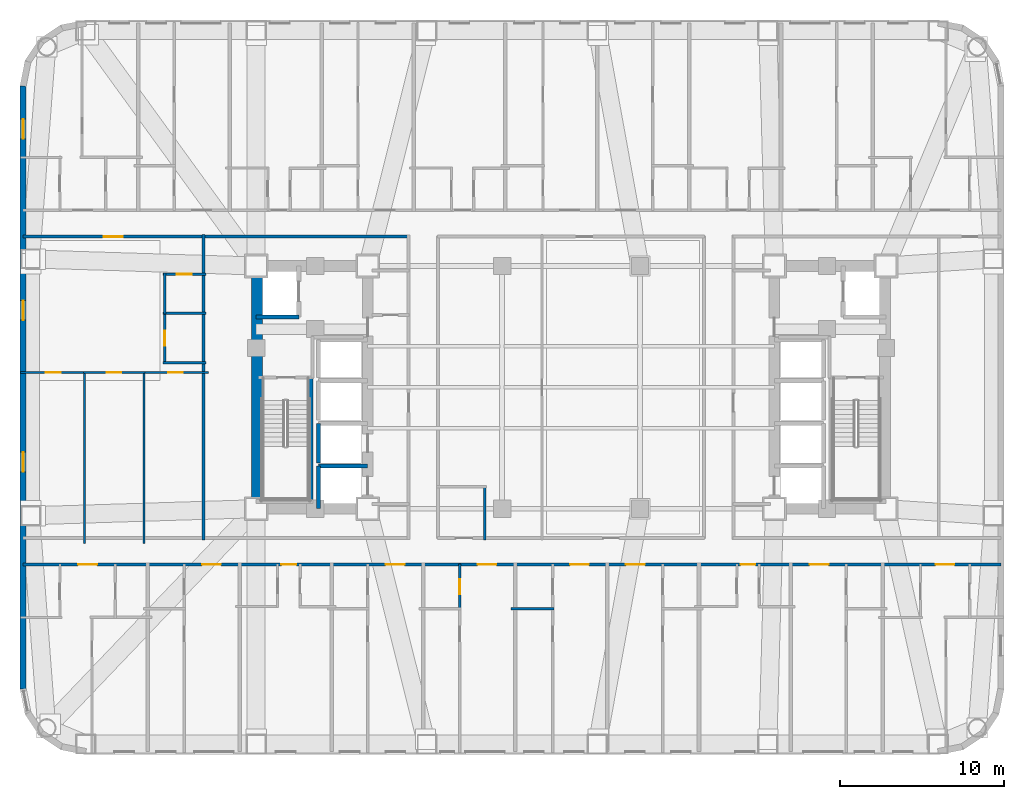
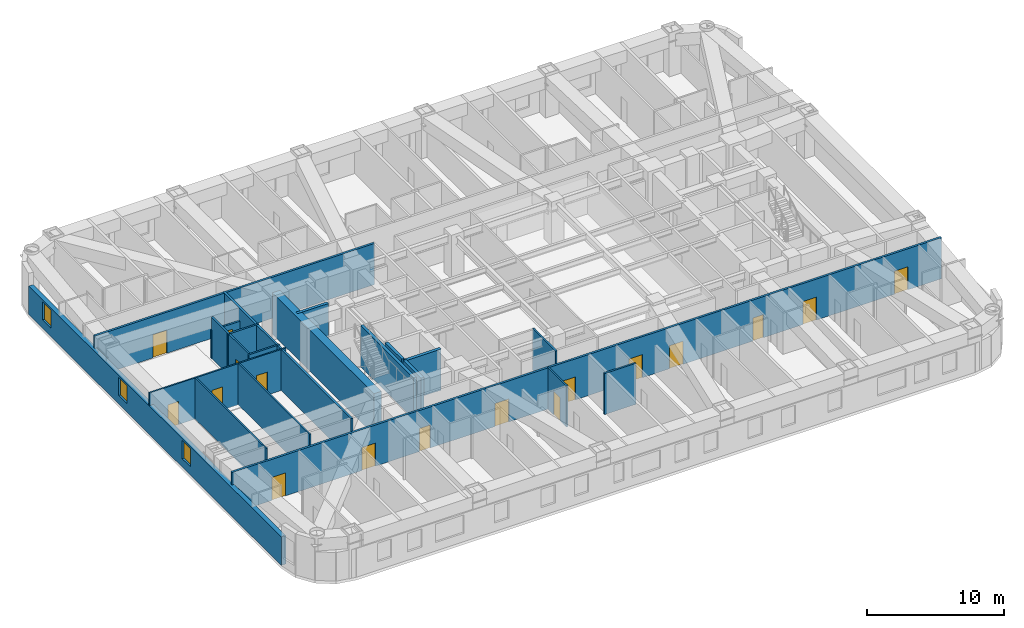
# One storey, part 4 of 12: 23 walls, 17 doors, 3 windows, 20 openings.
"""IFC4 building model written with IfcOpenShell, lengths in metres."""

from ifc_helpers import new_model, si_unit, direction, frame, frame_2d, origin, place, context, subcontext, project, spatial, rectangle, extrude, material, layer, layer_set, type_object, element, fill, save


model = new_model("IFC4")

# Units and contexts
model_context = context("Model", 3, precision=1e-05, world=origin(), true_north=direction((0.0, 1.0)))
body_context = subcontext(model_context, "Body", "Model", "MODEL_VIEW")
ifc_project = project(units=[si_unit("LENGTHUNIT", "METRE"), si_unit("AREAUNIT", "SQUARE_METRE"), si_unit("VOLUMEUNIT", "CUBIC_METRE"), si_unit("PLANEANGLEUNIT", "RADIAN"), si_unit("MASSUNIT", "GRAM", prefix="KILO")], contexts=[model_context])

# Site, building, storey
site_placement = place(None, origin())
site = spatial("IfcSite", under=ifc_project, at=site_placement, CompositionType="ELEMENT")
building_placement = place(site_placement, origin())
building = spatial("IfcBuilding", under=site, at=building_placement, Name="Voryun Gate Residences", CompositionType="ELEMENT")
storey_placement = place(building_placement, frame((0.0, 0.0, 29.89990234375)))
storey = spatial("IfcBuildingStorey", under=building, at=storey_placement, Name="L06", CompositionType="ELEMENT", Elevation=29.89990234375)

# Wall
ifc_material_1 = material(Name="Concrete C60/75", Category="concrete")
ifc_layer_1 = layer(ifc_material_1, 0.64990234375, Name="CW_CORE_650")
ifc_layer_set_1 = layer_set([ifc_layer_1], Name="Concrete C60/75")
wall_type_1 = type_object("IfcWallType", Name="CW_CORE_650", PredefinedType="SHEAR", material=ifc_layer_set_1)
wall_1_placement = place(storey_placement, frame((-19.14501953125, -7.39990234375, 0.0), z_axis=(0.0, 0.0, 1.0), x_axis=(0.0, 1.0, 0.0)))
element("IfcWall", 1, at=wall_1_placement, inside=storey, type_object=wall_type_1, Name="L06 Core shear wall CW-L06-WW", PredefinedType="SHEAR", context=body_context, shape_type="SweptSolid", body=[
    extrude(rectangle(XDim=14.7998046875, YDim=0.64990234375, at=frame_2d((7.39990234375, 0.0))), origin(), (0.0, 0.0, 1.0), 3.650146484375),
])

# Wall, opening, door
ifc_material_2 = material(Name="Gypsum acoustic fireboard")
ifc_layer_2 = layer(ifc_material_2, 0.179931640625, Name="W_CORR_RATED_180")
ifc_layer_set_2 = layer_set([ifc_layer_2], Name="Gypsum acoustic fireboard")
wall_type_2 = type_object("IfcWallType", Name="W_CORR_RATED_180", PredefinedType="PARTITIONING", material=ifc_layer_set_2)
wall_2_placement = place(storey_placement, frame((-33.409912109375, 9.18994140625, 0.0), z_axis=(0.0, 0.0, 1.0), x_axis=(1.0, 0.0, 0.0)))
wall_2 = element("IfcWall", 2, at=wall_2_placement, inside=storey, type_object=wall_type_2, Name="Partition wall WP-L06-CWING-WN", PredefinedType="PARTITIONING", context=body_context, shape_type="SweptSolid", body=[
    extrude(rectangle(XDim=23.530029296875, YDim=0.179931640625, at=frame_2d((11.76513671875, 0.0))), origin(), (0.0, 0.0, 1.0), 3.650146484375),
])
opening_1_placement = place(wall_2_placement, frame((4.91455078125, 0.0, 0.0)))
opening_1 = element("IfcOpeningElement", 3, at=opening_1_placement, cuts=wall_2, Name="Opening D-UNIT-1", PredefinedType="OPENING", context=body_context, shape_type="SweptSolid", body=[
    extrude(rectangle(XDim=1.14990234375, YDim=2.050048828125, at=frame_2d((0.574951171875, 1.02490234375))), frame((0.0, 0.099853515625, 0.0), z_axis=(0.0, -1.0, 0.0), x_axis=(1.0, 0.0, 0.0)), (0.0, 0.0, 1.0), 0.199951171875),
])
ifc_material_3 = material(Name="Armoured timber-clad fire door", Category="wood")
door_type_1 = type_object("IfcDoorType", Name="DR_UNIT_ENTRY_1150", OperationType="NOTDEFINED", PredefinedType="DOOR", material=ifc_material_3)
door_1_placement = place(opening_1_placement, origin())
door_1 = element("IfcDoor", 4, at=door_1_placement, inside=storey, type_object=door_type_1, Name="Door DR-L06-WE1N", OperationType="SINGLE_SWING_LEFT", OverallHeight=2.050048828125, OverallWidth=1.14990234375, PredefinedType="DOOR", context=body_context, shape_type="SweptSolid", body=[
    extrude(rectangle(XDim=1.14990234375, YDim=2.050048828125, at=frame_2d((0.574951171875, 1.02490234375))), frame((0.0, 0.02490234375, 0.0), z_axis=(0.0, -1.0, 0.0), x_axis=(1.0, 0.0, 0.0)), (0.0, 0.0, 1.0), 0.050048828125),
])
fill(opening_1, door_1)

# Wall, openings, doors
wall_3_placement = place(storey_placement, frame((-33.409912109375, -10.800048828125, 0.0), z_axis=(0.0, 0.0, 1.0), x_axis=(1.0, 0.0, 0.0)))
wall_3 = element("IfcWall", 5, at=wall_3_placement, inside=storey, type_object=wall_type_2, Name="Partition wall WP-L06-SCORR", PredefinedType="PARTITIONING", context=body_context, shape_type="SweptSolid", body=[
    extrude(rectangle(XDim=59.619873046875, YDim=0.179931640625, at=frame_2d((29.81005859375, 0.0))), origin(), (0.0, 0.0, 1.0), 3.650146484375),
])
opening_2_placement = place(wall_3_placement, frame((3.35986328125, 0.0, 0.0)))
opening_2 = element("IfcOpeningElement", 6, at=opening_2_placement, cuts=wall_3, Name="Opening D-UNIT-1", PredefinedType="OPENING", context=body_context, shape_type="SweptSolid", body=[
    extrude(rectangle(XDim=1.14990234375, YDim=2.050048828125, at=frame_2d((0.574951171875, 1.02490234375))), frame((0.0, 0.099853515625, 0.0), z_axis=(0.0, -1.0, 0.0), x_axis=(1.0, 0.0, 0.0)), (0.0, 0.0, 1.0), 0.199951171875),
])
opening_3_placement = place(wall_3_placement, frame((10.90771484375, 0.0, 0.0)))
opening_3 = element("IfcOpeningElement", 7, at=opening_3_placement, cuts=wall_3, Name="Opening D-UNIT-1", PredefinedType="OPENING", context=body_context, shape_type="SweptSolid", body=[
    extrude(rectangle(XDim=1.14990234375, YDim=2.050048828125, at=frame_2d((0.574951171875, 1.02490234375))), frame((0.0, 0.099853515625, 0.0), z_axis=(0.0, -1.0, 0.0), x_axis=(1.0, 0.0, 0.0)), (0.0, 0.0, 1.0), 0.199951171875),
])
opening_4_placement = place(wall_3_placement, frame((15.754638671875, 0.0, 0.0)))
opening_4 = element("IfcOpeningElement", 8, at=opening_4_placement, cuts=wall_3, Name="Opening D-INT-2", PredefinedType="OPENING", context=body_context, shape_type="SweptSolid", body=[
    extrude(rectangle(XDim=0.89990234375, YDim=2.050048828125, at=frame_2d((0.449951171875, 1.02490234375))), frame((0.0, 0.099853515625, 0.0), z_axis=(0.0, -1.0, 0.0), x_axis=(1.0, 0.0, 0.0)), (0.0, 0.0, 1.0), 0.199951171875),
])
opening_5_placement = place(wall_3_placement, frame((22.1103515625, 0.0, 0.0)))
opening_5 = element("IfcOpeningElement", 9, at=opening_5_placement, cuts=wall_3, Name="Opening D-UNIT-1", PredefinedType="OPENING", context=body_context, shape_type="SweptSolid", body=[
    extrude(rectangle(XDim=1.14990234375, YDim=2.050048828125, at=frame_2d((0.574951171875, 1.02490234375))), frame((0.0, 0.099853515625, 0.0), z_axis=(0.0, -1.0, 0.0), x_axis=(1.0, 0.0, 0.0)), (0.0, 0.0, 1.0), 0.199951171875),
])
opening_6_placement = place(wall_3_placement, frame((27.708740234375, 0.0, 0.0)))
opening_6 = element("IfcOpeningElement", 10, at=opening_6_placement, cuts=wall_3, Name="Opening D-UNIT-1", PredefinedType="OPENING", context=body_context, shape_type="SweptSolid", body=[
    extrude(rectangle(XDim=1.14990234375, YDim=2.050048828125, at=frame_2d((0.574951171875, 1.02490234375))), frame((0.0, 0.099853515625, 0.0), z_axis=(0.0, -1.0, 0.0), x_axis=(1.0, 0.0, 0.0)), (0.0, 0.0, 1.0), 0.199951171875),
])
opening_7_placement = place(wall_3_placement, frame((33.348876953125, 0.0, 0.0)))
opening_7 = element("IfcOpeningElement", 11, at=opening_7_placement, cuts=wall_3, Name="Opening D-UNIT-1", PredefinedType="OPENING", context=body_context, shape_type="SweptSolid", body=[
    extrude(rectangle(XDim=1.14990234375, YDim=2.050048828125, at=frame_2d((0.574951171875, 1.02490234375))), frame((0.0, 0.099853515625, 0.0), z_axis=(0.0, -1.0, 0.0), x_axis=(1.0, 0.0, 0.0)), (0.0, 0.0, 1.0), 0.199951171875),
])
opening_8_placement = place(wall_3_placement, frame((36.759033203125, 0.0, 0.0)))
opening_8 = element("IfcOpeningElement", 12, at=opening_8_placement, cuts=wall_3, Name="Opening D-UNIT-1", PredefinedType="OPENING", context=body_context, shape_type="SweptSolid", body=[
    extrude(rectangle(XDim=1.14990234375, YDim=2.050048828125, at=frame_2d((0.574951171875, 1.02490234375))), frame((0.0, 0.099853515625, 0.0), z_axis=(0.0, -1.0, 0.0), x_axis=(1.0, 0.0, 0.0)), (0.0, 0.0, 1.0), 0.199951171875),
])
opening_9_placement = place(wall_3_placement, frame((43.752197265625, 0.0, 0.0)))
opening_9 = element("IfcOpeningElement", 13, at=opening_9_placement, cuts=wall_3, Name="Opening D-INT-2", PredefinedType="OPENING", context=body_context, shape_type="SweptSolid", body=[
    extrude(rectangle(XDim=0.89990234375, YDim=2.050048828125, at=frame_2d((0.449951171875, 1.02490234375))), frame((0.0, 0.099853515625, 0.0), z_axis=(0.0, -1.0, 0.0), x_axis=(1.0, 0.0, 0.0)), (0.0, 0.0, 1.0), 0.199951171875),
])
opening_10_placement = place(wall_3_placement, frame((47.961669921875, 0.0, 0.0)))
opening_10 = element("IfcOpeningElement", 14, at=opening_10_placement, cuts=wall_3, Name="Opening D-UNIT-1", PredefinedType="OPENING", context=body_context, shape_type="SweptSolid", body=[
    extrude(rectangle(XDim=1.14990234375, YDim=2.050048828125, at=frame_2d((0.574951171875, 1.02490234375))), frame((0.0, 0.099853515625, 0.0), z_axis=(0.0, -1.0, 0.0), x_axis=(1.0, 0.0, 0.0)), (0.0, 0.0, 1.0), 0.199951171875),
])
opening_11_placement = place(wall_3_placement, frame((55.640625, 0.0, 0.0)))
opening_11 = element("IfcOpeningElement", 15, at=opening_11_placement, cuts=wall_3, Name="Opening D-UNIT-1", PredefinedType="OPENING", context=body_context, shape_type="SweptSolid", body=[
    extrude(rectangle(XDim=1.14990234375, YDim=2.050048828125, at=frame_2d((0.574951171875, 1.02490234375))), frame((0.0, 0.099853515625, 0.0), z_axis=(0.0, -1.0, 0.0), x_axis=(1.0, 0.0, 0.0)), (0.0, 0.0, 1.0), 0.199951171875),
])
ifc_material_4 = material(Name="Architectural oak veneer")
door_type_2 = type_object("IfcDoorType", Name="DR_INT_BATH_900", OperationType="NOTDEFINED", PredefinedType="DOOR", material=ifc_material_4)
door_2_placement = place(opening_4_placement, origin())
door_2 = element("IfcDoor", 16, at=door_2_placement, inside=storey, type_object=door_type_2, Name="Door DR-L06-SENT-3", OperationType="SINGLE_SWING_RIGHT", OverallHeight=2.050048828125, OverallWidth=0.89990234375, PredefinedType="DOOR", context=body_context, shape_type="SweptSolid", body=[
    extrude(rectangle(XDim=0.89990234375, YDim=2.050048828125, at=frame_2d((0.449951171875, 1.02490234375))), frame((0.0, 0.02490234375, 0.0), z_axis=(0.0, -1.0, 0.0), x_axis=(1.0, 0.0, 0.0)), (0.0, 0.0, 1.0), 0.050048828125),
])
fill(opening_4, door_2)
door_3_placement = place(opening_9_placement, origin())
door_3 = element("IfcDoor", 17, at=door_3_placement, inside=storey, type_object=door_type_2, Name="Door DR-L06-SENT-8", OperationType="SINGLE_SWING_LEFT", OverallHeight=2.050048828125, OverallWidth=0.89990234375, PredefinedType="DOOR", context=body_context, shape_type="SweptSolid", body=[
    extrude(rectangle(XDim=0.89990234375, YDim=2.050048828125, at=frame_2d((0.449951171875, 1.02490234375))), frame((0.0, 0.02490234375, 0.0), z_axis=(0.0, -1.0, 0.0), x_axis=(1.0, 0.0, 0.0)), (0.0, 0.0, 1.0), 0.050048828125),
])
fill(opening_9, door_3)
door_4_placement = place(opening_2_placement, origin())
door_4 = element("IfcDoor", 18, at=door_4_placement, inside=storey, type_object=door_type_1, Name="Door DR-L06-SENT-1", OperationType="SINGLE_SWING_RIGHT", OverallHeight=2.050048828125, OverallWidth=1.14990234375, PredefinedType="DOOR", context=body_context, shape_type="SweptSolid", body=[
    extrude(rectangle(XDim=1.14990234375, YDim=2.050048828125, at=frame_2d((0.574951171875, 1.02490234375))), frame((0.0, 0.02490234375, 0.0), z_axis=(0.0, -1.0, 0.0), x_axis=(1.0, 0.0, 0.0)), (0.0, 0.0, 1.0), 0.050048828125),
])
fill(opening_2, door_4)
door_5_placement = place(opening_3_placement, origin())
door_5 = element("IfcDoor", 19, at=door_5_placement, inside=storey, type_object=door_type_1, Name="Door DR-L06-SENT-2", OperationType="SINGLE_SWING_LEFT", OverallHeight=2.050048828125, OverallWidth=1.14990234375, PredefinedType="DOOR", context=body_context, shape_type="SweptSolid", body=[
    extrude(rectangle(XDim=1.14990234375, YDim=2.050048828125, at=frame_2d((0.574951171875, 1.02490234375))), frame((0.0, 0.02490234375, 0.0), z_axis=(0.0, -1.0, 0.0), x_axis=(1.0, 0.0, 0.0)), (0.0, 0.0, 1.0), 0.050048828125),
])
fill(opening_3, door_5)
door_6_placement = place(opening_5_placement, origin())
door_6 = element("IfcDoor", 20, at=door_6_placement, inside=storey, type_object=door_type_1, Name="Door DR-L06-SENT-4", OperationType="SINGLE_SWING_LEFT", OverallHeight=2.050048828125, OverallWidth=1.14990234375, PredefinedType="DOOR", context=body_context, shape_type="SweptSolid", body=[
    extrude(rectangle(XDim=1.14990234375, YDim=2.050048828125, at=frame_2d((0.574951171875, 1.02490234375))), frame((0.0, 0.02490234375, 0.0), z_axis=(0.0, -1.0, 0.0), x_axis=(1.0, 0.0, 0.0)), (0.0, 0.0, 1.0), 0.050048828125),
])
fill(opening_5, door_6)
door_7_placement = place(opening_6_placement, origin())
door_7 = element("IfcDoor", 21, at=door_7_placement, inside=storey, type_object=door_type_1, Name="Door DR-L06-SENT-5", OperationType="SINGLE_SWING_RIGHT", OverallHeight=2.050048828125, OverallWidth=1.14990234375, PredefinedType="DOOR", context=body_context, shape_type="SweptSolid", body=[
    extrude(rectangle(XDim=1.14990234375, YDim=2.050048828125, at=frame_2d((0.574951171875, 1.02490234375))), frame((0.0, 0.02490234375, 0.0), z_axis=(0.0, -1.0, 0.0), x_axis=(1.0, 0.0, 0.0)), (0.0, 0.0, 1.0), 0.050048828125),
])
fill(opening_6, door_7)
door_8_placement = place(opening_7_placement, origin())
door_8 = element("IfcDoor", 22, at=door_8_placement, inside=storey, type_object=door_type_1, Name="Door DR-L06-SENT-6", OperationType="SINGLE_SWING_LEFT", OverallHeight=2.050048828125, OverallWidth=1.14990234375, PredefinedType="DOOR", context=body_context, shape_type="SweptSolid", body=[
    extrude(rectangle(XDim=1.14990234375, YDim=2.050048828125, at=frame_2d((0.574951171875, 1.02490234375))), frame((0.0, 0.02490234375, 0.0), z_axis=(0.0, -1.0, 0.0), x_axis=(1.0, 0.0, 0.0)), (0.0, 0.0, 1.0), 0.050048828125),
])
fill(opening_7, door_8)
door_9_placement = place(opening_8_placement, origin())
door_9 = element("IfcDoor", 23, at=door_9_placement, inside=storey, type_object=door_type_1, Name="Door DR-L06-SENT-7", OperationType="SINGLE_SWING_RIGHT", OverallHeight=2.050048828125, OverallWidth=1.14990234375, PredefinedType="DOOR", context=body_context, shape_type="SweptSolid", body=[
    extrude(rectangle(XDim=1.14990234375, YDim=2.050048828125, at=frame_2d((0.574951171875, 1.02490234375))), frame((0.0, 0.02490234375, 0.0), z_axis=(0.0, -1.0, 0.0), x_axis=(1.0, 0.0, 0.0)), (0.0, 0.0, 1.0), 0.050048828125),
])
fill(opening_8, door_9)
door_10_placement = place(opening_10_placement, origin())
door_10 = element("IfcDoor", 24, at=door_10_placement, inside=storey, type_object=door_type_1, Name="Door DR-L06-SENT-9", OperationType="SINGLE_SWING_RIGHT", OverallHeight=2.050048828125, OverallWidth=1.14990234375, PredefinedType="DOOR", context=body_context, shape_type="SweptSolid", body=[
    extrude(rectangle(XDim=1.14990234375, YDim=2.050048828125, at=frame_2d((0.574951171875, 1.02490234375))), frame((0.0, 0.02490234375, 0.0), z_axis=(0.0, -1.0, 0.0), x_axis=(1.0, 0.0, 0.0)), (0.0, 0.0, 1.0), 0.050048828125),
])
fill(opening_10, door_10)
door_11_placement = place(opening_11_placement, origin())
door_11 = element("IfcDoor", 25, at=door_11_placement, inside=storey, type_object=door_type_1, Name="Door DR-L06-SENT-10", OperationType="SINGLE_SWING_LEFT", OverallHeight=2.050048828125, OverallWidth=1.14990234375, PredefinedType="DOOR", context=body_context, shape_type="SweptSolid", body=[
    extrude(rectangle(XDim=1.14990234375, YDim=2.050048828125, at=frame_2d((0.574951171875, 1.02490234375))), frame((0.0, 0.02490234375, 0.0), z_axis=(0.0, -1.0, 0.0), x_axis=(1.0, 0.0, 0.0)), (0.0, 0.0, 1.0), 0.050048828125),
])
fill(opening_11, door_11)

# Wall
wall_4_placement = place(storey_placement, frame((-22.419921875, -9.31005859375, 0.0), z_axis=(0.0, 0.0, 1.0), x_axis=(0.0, 1.0, 0.0)))
element("IfcWall", 26, at=wall_4_placement, inside=storey, type_object=wall_type_2, Name="Partition wall WP-L06-WCOR", PredefinedType="PARTITIONING", context=body_context, shape_type="SweptSolid", body=[
    extrude(rectangle(XDim=18.6201171875, YDim=0.179931640625, at=frame_2d((9.31005859375, 0.0))), origin(), (0.0, 0.0, 1.0), 3.650146484375),
])

# Wall, openings, windows
ifc_material_5 = material(Name="Granite masonry", Category="masonry")
ifc_layer_3 = layer(ifc_material_5, 0.3798828125, Name="W_EXT_GRANITE_380")
ifc_layer_set_3 = layer_set([ifc_layer_3], Name="Granite masonry")
wall_type_3 = type_object("IfcWallType", Name="W_EXT_GRANITE_380", PredefinedType="ELEMENTEDWALL", material=ifc_layer_set_3)
wall_5_placement = place(storey_placement, frame((-33.409912109375, -18.38134765625, 0.0), z_axis=(0.0, 0.0, 1.0), x_axis=(0.0, 1.0, 0.0)))
wall_5 = element("IfcWall", 27, at=wall_5_placement, inside=storey, type_object=wall_type_3, Name="Exterior wall WEXT-L06-06", PredefinedType="ELEMENTEDWALL", context=body_context, shape_type="SweptSolid", body=[
    extrude(rectangle(XDim=36.7626953125, YDim=0.3798828125, at=frame_2d((18.38134765625, 0.0))), origin(), (0.0, 0.0, 1.0), 2.5400390625),
])
opening_12_placement = place(wall_5_placement, frame((33.536865234375, 0.0, 0.75)))
opening_12 = element("IfcOpeningElement", 28, at=opening_12_placement, cuts=wall_5, Name="Opening WN6", PredefinedType="OPENING", context=body_context, shape_type="SweptSolid", body=[
    extrude(rectangle(XDim=1.199951171875, YDim=1.6298828125, at=frame_2d((0.60009765625, 0.81494140625))), frame((0.0, 0.199951171875, 0.0), z_axis=(0.0, -1.0, 0.0), x_axis=(1.0, 0.0, 0.0)), (0.0, 0.0, 1.0), 0.39990234375),
])
opening_13_placement = place(wall_5_placement, frame((22.476318359375, 0.0, 0.75)))
opening_13 = element("IfcOpeningElement", 29, at=opening_13_placement, cuts=wall_5, Name="Opening WN6", PredefinedType="OPENING", context=body_context, shape_type="SweptSolid", body=[
    extrude(rectangle(XDim=1.199951171875, YDim=1.6298828125, at=frame_2d((0.60009765625, 0.81494140625))), frame((0.0, 0.199951171875, 0.0), z_axis=(0.0, -1.0, 0.0), x_axis=(1.0, 0.0, 0.0)), (0.0, 0.0, 1.0), 0.39990234375),
])
opening_14_placement = place(wall_5_placement, frame((13.226318359375, 0.0, 0.75)))
opening_14 = element("IfcOpeningElement", 30, at=opening_14_placement, cuts=wall_5, Name="Opening WN6", PredefinedType="OPENING", context=body_context, shape_type="SweptSolid", body=[
    extrude(rectangle(XDim=1.199951171875, YDim=1.6298828125, at=frame_2d((0.60009765625, 0.81494140625))), frame((0.0, 0.199951171875, 0.0), z_axis=(0.0, -1.0, 0.0), x_axis=(1.0, 0.0, 0.0)), (0.0, 0.0, 1.0), 0.39990234375),
])
ifc_material_6 = material(Name="Laminated low-E glass", Category="glass")
window_type = type_object("IfcWindowType", Name="WN_POD_SLOT_1200", PartitioningType="SINGLE_PANEL", PredefinedType="WINDOW", material=ifc_material_6)
window_1_placement = place(opening_12_placement, origin())
window_1 = element("IfcWindow", 31, at=window_1_placement, inside=storey, type_object=window_type, Name="Window WN-L06-DWFIX-01", OverallHeight=1.6298828125, OverallWidth=1.199951171875, PartitioningType="SINGLE_PANEL", PredefinedType="WINDOW", context=body_context, shape_type="SweptSolid", body=[
    extrude(rectangle(XDim=1.199951171875, YDim=1.6298828125, at=frame_2d((0.60009765625, 0.81494140625))), frame((0.0, 0.030029296875, 0.0), z_axis=(0.0, -1.0, 0.0), x_axis=(1.0, 0.0, 0.0)), (0.0, 0.0, 1.0), 0.06005859375),
])
fill(opening_12, window_1)
window_2_placement = place(opening_13_placement, origin())
window_2 = element("IfcWindow", 32, at=window_2_placement, inside=storey, type_object=window_type, Name="Window WN-L06-DWFIX-31", OverallHeight=1.6298828125, OverallWidth=1.199951171875, PartitioningType="SINGLE_PANEL", PredefinedType="WINDOW", context=body_context, shape_type="SweptSolid", body=[
    extrude(rectangle(XDim=1.199951171875, YDim=1.6298828125, at=frame_2d((0.60009765625, 0.81494140625))), frame((0.0, 0.030029296875, 0.0), z_axis=(0.0, -1.0, 0.0), x_axis=(1.0, 0.0, 0.0)), (0.0, 0.0, 1.0), 0.06005859375),
])
fill(opening_13, window_2)
window_3_placement = place(opening_14_placement, origin())
window_3 = element("IfcWindow", 33, at=window_3_placement, inside=storey, type_object=window_type, Name="Window WN-L06-DWFIX-32", OverallHeight=1.6298828125, OverallWidth=1.199951171875, PartitioningType="SINGLE_PANEL", PredefinedType="WINDOW", context=body_context, shape_type="SweptSolid", body=[
    extrude(rectangle(XDim=1.199951171875, YDim=1.6298828125, at=frame_2d((0.60009765625, 0.81494140625))), frame((0.0, 0.030029296875, 0.0), z_axis=(0.0, -1.0, 0.0), x_axis=(1.0, 0.0, 0.0)), (0.0, 0.0, 1.0), 0.06005859375),
])
fill(opening_14, window_3)

# Walls
ifc_material_7 = material(Name="Concrete C50/60", Category="concrete")
ifc_layer_4 = layer(ifc_material_7, 0.25, Name="W_SHAFT_RC250")
ifc_layer_set_4 = layer_set([ifc_layer_4], Name="Concrete C50/60")
wall_type_4 = type_object("IfcWallType", Name="W_SHAFT_RC250", PredefinedType="SOLIDWALL", material=ifc_layer_set_4)
wall_6_placement = place(storey_placement, frame((-15.860107421875, -7.0849609375, 0.0), z_axis=(0.0, 0.0, 1.0), x_axis=(0.0, 1.0, 0.0)))
element("IfcWall", 34, at=wall_6_placement, inside=storey, type_object=wall_type_4, Name="L06 Stair shaft structural wall W-STR", PredefinedType="SOLIDWALL", context=body_context, shape_type="SweptSolid", body=[
    extrude(rectangle(XDim=7.68505859375, YDim=0.25, at=frame_2d((3.842529296875, 0.0))), origin(), (0.0, 0.0, 1.0), 3.650146484375),
])
wall_7_placement = place(storey_placement, frame((-19.199951171875, 4.300048828125, 0.0), z_axis=(0.0, 0.0, 1.0), x_axis=(1.0, 0.0, 0.0)))
element("IfcWall", 35, at=wall_7_placement, inside=storey, type_object=wall_type_4, Name="Lift shaft wall WSH-L06-EL-FF-W1-S", PredefinedType="SOLIDWALL", context=body_context, shape_type="SweptSolid", body=[
    extrude(rectangle(XDim=2.599853515625, YDim=0.25, at=frame_2d((1.2998046875, 0.0))), origin(), (0.0, 0.0, 1.0), 3.650146484375),
])
wall_8_placement = place(storey_placement, frame((-12.39990234375, -4.800048828125, 0.0), z_axis=(0.0, 0.0, 1.0), x_axis=(-1.0, 0.0, 0.0)))
element("IfcWall", 36, at=wall_8_placement, inside=storey, type_object=wall_type_4, Name="Lift shaft wall WSH-L06-EL-P1-N", PredefinedType="SOLIDWALL", context=body_context, shape_type="SweptSolid", body=[
    extrude(rectangle(XDim=3.0, YDim=0.25, at=frame_2d((1.5, 0.0))), origin(), (0.0, 0.0, 1.0), 3.650146484375),
])
wall_9_placement = place(storey_placement, frame((-15.39990234375, -4.800048828125, 0.0), z_axis=(0.0, 0.0, 1.0), x_axis=(0.0, -1.0, 0.0)))
element("IfcWall", 37, at=wall_9_placement, inside=storey, type_object=wall_type_4, Name="Lift shaft wall WSH-L06-EL-P1-W", PredefinedType="SOLIDWALL", context=body_context, shape_type="SweptSolid", body=[
    extrude(rectangle(XDim=2.599853515625, YDim=0.25, at=frame_2d((1.2998046875, 0.0))), origin(), (0.0, 0.0, 1.0), 3.650146484375),
])
wall_10_placement = place(storey_placement, frame((-15.39990234375, -2.199951171875, 0.0), z_axis=(0.0, 0.0, 1.0), x_axis=(0.0, -1.0, 0.0)))
element("IfcWall", 38, at=wall_10_placement, inside=storey, type_object=wall_type_4, Name="Lift shaft wall WSH-L06-EL-P2-W", PredefinedType="SOLIDWALL", context=body_context, shape_type="SweptSolid", body=[
    extrude(rectangle(XDim=2.400146484375, YDim=0.25, at=frame_2d((1.2001953125, 0.0))), origin(), (0.0, 0.0, 1.0), 3.650146484375),
])

# Wall, opening, door
ifc_material_8 = material(Name="Gypsum acoustic partition")
ifc_layer_5 = layer(ifc_material_8, 0.125, Name="W_UNIT_PART_125")
ifc_layer_set_5 = layer_set([ifc_layer_5], Name="Gypsum acoustic partition")
wall_type_5 = type_object("IfcWallType", Name="W_UNIT_PART_125", PredefinedType="PARTITIONING", material=ifc_layer_set_5)
wall_11_placement = place(storey_placement, frame((-33.56005859375, 0.909912109375, 0.0), z_axis=(0.0, 0.0, 1.0), x_axis=(1.0, 0.0, 0.0)))
wall_11 = element("IfcWall", 39, at=wall_11_placement, inside=storey, type_object=wall_type_5, Name="Partition wall WP-L06-W1-HZMB1", PredefinedType="PARTITIONING", context=body_context, shape_type="SweptSolid", body=[
    extrude(rectangle(XDim=3.944580078125, YDim=0.125, at=frame_2d((1.97216796875, 0.0))), origin(), (0.0, 0.0, 1.0), 3.650146484375),
])
opening_15_placement = place(wall_11_placement, frame((1.531005859375, 0.0, 0.0)))
opening_15 = element("IfcOpeningElement", 40, at=opening_15_placement, cuts=wall_11, Name="Opening D-INT-2", PredefinedType="OPENING", context=body_context, shape_type="SweptSolid", body=[
    extrude(rectangle(XDim=0.89990234375, YDim=2.050048828125, at=frame_2d((0.449951171875, 1.02490234375))), frame((0.0, 0.072509765625, 0.0), z_axis=(0.0, -1.0, 0.0), x_axis=(1.0, 0.0, 0.0)), (0.0, 0.0, 1.0), 0.14501953125),
])
door_12_placement = place(opening_15_placement, origin())
door_12 = element("IfcDoor", 41, at=door_12_placement, inside=storey, type_object=door_type_2, Name="Door DR-L06-W1-DMB", OperationType="SINGLE_SWING_LEFT", OverallHeight=2.050048828125, OverallWidth=0.89990234375, PredefinedType="DOOR", context=body_context, shape_type="SweptSolid", body=[
    extrude(rectangle(XDim=0.89990234375, YDim=2.050048828125, at=frame_2d((0.449951171875, 1.02490234375))), frame((0.0, 0.02490234375, 0.0), z_axis=(0.0, -1.0, 0.0), x_axis=(1.0, 0.0, 0.0)), (0.0, 0.0, 1.0), 0.050048828125),
])
fill(opening_15, door_12)

wall_12_placement = place(storey_placement, frame((-29.740478515625, 0.909912109375, 0.0), z_axis=(0.0, 0.0, 1.0), x_axis=(1.0, 0.0, 0.0)))
wall_12 = element("IfcWall", 42, at=wall_12_placement, inside=storey, type_object=wall_type_5, Name="Partition wall WP-L06-W1-HZMB2", PredefinedType="PARTITIONING", context=body_context, shape_type="SweptSolid", body=[
    extrude(rectangle(XDim=3.75390625, YDim=0.125, at=frame_2d((1.876953125, 0.0))), origin(), (0.0, 0.0, 1.0), 3.650146484375),
])
opening_16_placement = place(wall_12_placement, frame((1.427001953125, 0.0, 0.0)))
opening_16 = element("IfcOpeningElement", 43, at=opening_16_placement, cuts=wall_12, Name="Opening D-INT-2", PredefinedType="OPENING", context=body_context, shape_type="SweptSolid", body=[
    extrude(rectangle(XDim=0.89990234375, YDim=2.050048828125, at=frame_2d((0.449951171875, 1.02490234375))), frame((0.0, 0.072509765625, 0.0), z_axis=(0.0, -1.0, 0.0), x_axis=(1.0, 0.0, 0.0)), (0.0, 0.0, 1.0), 0.14501953125),
])
door_13_placement = place(opening_16_placement, origin())
door_13 = element("IfcDoor", 44, at=door_13_placement, inside=storey, type_object=door_type_2, Name="Door DR-L06-W1-DBD2", OperationType="SINGLE_SWING_RIGHT", OverallHeight=2.050048828125, OverallWidth=0.89990234375, PredefinedType="DOOR", context=body_context, shape_type="SweptSolid", body=[
    extrude(rectangle(XDim=0.89990234375, YDim=2.050048828125, at=frame_2d((0.449951171875, 1.02490234375))), frame((0.0, 0.02490234375, 0.0), z_axis=(0.0, -1.0, 0.0), x_axis=(1.0, 0.0, 0.0)), (0.0, 0.0, 1.0), 0.050048828125),
])
fill(opening_16, door_13)

wall_13_placement = place(storey_placement, frame((-26.111572265625, 0.909912109375, 0.0), z_axis=(0.0, 0.0, 1.0), x_axis=(1.0, 0.0, 0.0)))
wall_13 = element("IfcWall", 45, at=wall_13_placement, inside=storey, type_object=wall_type_5, Name="Partition wall WP-L06-W1-HZMB3", PredefinedType="PARTITIONING", context=body_context, shape_type="SweptSolid", body=[
    extrude(rectangle(XDim=4.011474609375, YDim=0.125, at=frame_2d((2.005859375, 0.0))), origin(), (0.0, 0.0, 1.0), 3.650146484375),
])
opening_17_placement = place(wall_13_placement, frame((1.547119140625, 0.0, 0.0)))
opening_17 = element("IfcOpeningElement", 46, at=opening_17_placement, cuts=wall_13, Name="Opening D-INT-2", PredefinedType="OPENING", context=body_context, shape_type="SweptSolid", body=[
    extrude(rectangle(XDim=0.89990234375, YDim=2.050048828125, at=frame_2d((0.449951171875, 1.02490234375))), frame((0.0, 0.072509765625, 0.0), z_axis=(0.0, -1.0, 0.0), x_axis=(1.0, 0.0, 0.0)), (0.0, 0.0, 1.0), 0.14501953125),
])
door_14_placement = place(opening_17_placement, origin())
door_14 = element("IfcDoor", 47, at=door_14_placement, inside=storey, type_object=door_type_2, Name="Door DR-L06-W1-DBD3", OperationType="SINGLE_SWING_LEFT", OverallHeight=2.050048828125, OverallWidth=0.89990234375, PredefinedType="DOOR", context=body_context, shape_type="SweptSolid", body=[
    extrude(rectangle(XDim=0.89990234375, YDim=2.050048828125, at=frame_2d((0.449951171875, 1.02490234375))), frame((0.0, 0.02490234375, 0.0), z_axis=(0.0, -1.0, 0.0), x_axis=(1.0, 0.0, 0.0)), (0.0, 0.0, 1.0), 0.050048828125),
])
fill(opening_17, door_14)

# Walls
for number, where, z_axis, x_axis, name in (
    (48, (-26.049072265625, -9.510009765625, 0.0), (0.0, 0.0, 1.0), (0.0, 1.0, 0.0), "Partition wall WP-L06-W1-VMB2"),
    (49, (-29.677978515625, -9.510009765625, 0.0), (0.0, 0.0, 1.0), (0.0, 1.0, 0.0), "Partition wall WP-L06-W1-VMB"),
):
    element("IfcWall", number, at=place(storey_placement, frame(where, z_axis=z_axis, x_axis=x_axis)), inside=storey, type_object=wall_type_5, Name=name, PredefinedType="PARTITIONING", context=body_context, shape_type="SweptSolid", body=[
        extrude(rectangle(XDim=10.47998046875, YDim=0.125, at=frame_2d((5.239990234375, 0.0))), origin(), (0.0, 0.0, 1.0), 3.650146484375),
    ])
ifc_material_9 = material(Name="Gypsum moisture-resistant partition")
ifc_layer_6 = layer(ifc_material_9, 0.14990234375, Name="W_WET_PLUMB_150")
ifc_layer_set_6 = layer_set([ifc_layer_6], Name="Gypsum moisture-resistant partition")
wall_type_6 = type_object("IfcWallType", Name="W_WET_PLUMB_150", PredefinedType="PLUMBINGWALL", material=ifc_layer_set_6)
wall_14_placement = place(storey_placement, frame((-5.260009765625, -9.320068359375, 0.0), z_axis=(0.0, 0.0, 1.0), x_axis=(0.0, 1.0, 0.0)))
element("IfcWall", 50, at=wall_14_placement, inside=storey, type_object=wall_type_6, Name="Partition wall WP-L06-CMWCX", PredefinedType="PLUMBINGWALL", context=body_context, shape_type="SweptSolid", body=[
    extrude(rectangle(XDim=3.35009765625, YDim=0.14990234375, at=frame_2d((1.675048828125, 0.0))), origin(), (0.0, 0.0, 1.0), 3.650146484375),
])

# Wall, opening, door
wall_15_placement = place(storey_placement, frame((-6.7900390625, -13.5400390625, 0.0), z_axis=(0.0, 0.0, 1.0), x_axis=(0.0, 1.0, 0.0)))
wall_15 = element("IfcWall", 51, at=wall_15_placement, inside=storey, type_object=wall_type_6, Name="Partition wall WP-L06-S5-SVT2", PredefinedType="PLUMBINGWALL", context=body_context, shape_type="SweptSolid", body=[
    extrude(rectangle(XDim=2.760009765625, YDim=0.14990234375, at=frame_2d((1.3798828125, 0.0))), origin(), (0.0, 0.0, 1.0), 3.650146484375),
])
opening_18_placement = place(wall_15_placement, frame((0.929931640625, 0.0, 0.0)))
opening_18 = element("IfcOpeningElement", 52, at=opening_18_placement, cuts=wall_15, Name="Opening D-INT-2", PredefinedType="OPENING", context=body_context, shape_type="SweptSolid", body=[
    extrude(rectangle(XDim=0.89990234375, YDim=2.050048828125, at=frame_2d((0.449951171875, 1.02490234375))), frame((0.0, 0.0849609375, 0.0), z_axis=(0.0, -1.0, 0.0), x_axis=(1.0, 0.0, 0.0)), (0.0, 0.0, 1.0), 0.169921875),
])
door_15_placement = place(opening_18_placement, origin())
door_15 = element("IfcDoor", 53, at=door_15_placement, inside=storey, type_object=door_type_2, Name="Door DR-L06-S5-DB", OperationType="SINGLE_SWING_RIGHT", OverallHeight=2.050048828125, OverallWidth=0.89990234375, PredefinedType="DOOR", context=body_context, shape_type="SweptSolid", body=[
    extrude(rectangle(XDim=0.89990234375, YDim=2.050048828125, at=frame_2d((0.449951171875, 1.02490234375))), frame((0.0, 0.02490234375, 0.0), z_axis=(0.0, -1.0, 0.0), x_axis=(1.0, 0.0, 0.0)), (0.0, 0.0, 1.0), 0.050048828125),
])
fill(opening_18, door_15)

# Wall
wall_16_placement = place(storey_placement, frame((-3.659912109375, -13.5, 0.0), z_axis=(0.0, 0.0, 1.0), x_axis=(1.0, 0.0, 0.0)))
element("IfcWall", 54, at=wall_16_placement, inside=storey, type_object=wall_type_6, Name="Partition wall WP-L06-S6-SKB", PredefinedType="PLUMBINGWALL", context=body_context, shape_type="SweptSolid", body=[
    extrude(rectangle(XDim=2.6298828125, YDim=0.14990234375, at=frame_2d((1.31494140625, 0.0))), origin(), (0.0, 0.0, 1.0), 3.650146484375),
])

# Wall, opening, door
wall_17_placement = place(storey_placement, frame((-24.889892578125, 6.89990234375, 0.0), z_axis=(0.0, 0.0, 1.0), x_axis=(1.0, 0.0, 0.0)))
wall_17 = element("IfcWall", 55, at=wall_17_placement, inside=storey, type_object=wall_type_6, Name="Partition wall WP-L06-W1-IBT", PredefinedType="PLUMBINGWALL", context=body_context, shape_type="SweptSolid", body=[
    extrude(rectangle(XDim=2.619873046875, YDim=0.14990234375, at=frame_2d((1.31005859375, 0.0))), origin(), (0.0, 0.0, 1.0), 2.5400390625),
])
opening_19_placement = place(wall_17_placement, frame((0.860107421875, 0.0, 0.0)))
opening_19 = element("IfcOpeningElement", 56, at=opening_19_placement, cuts=wall_17, Name="Opening D-INT-2", PredefinedType="OPENING", context=body_context, shape_type="SweptSolid", body=[
    extrude(rectangle(XDim=0.89990234375, YDim=2.050048828125, at=frame_2d((0.449951171875, 1.02490234375))), frame((0.0, 0.0849609375, 0.0), z_axis=(0.0, -1.0, 0.0), x_axis=(1.0, 0.0, 0.0)), (0.0, 0.0, 1.0), 0.169921875),
])
door_16_placement = place(opening_19_placement, origin())
door_16 = element("IfcDoor", 57, at=door_16_placement, inside=storey, type_object=door_type_2, Name="Door DR-L06-W1-DK", OperationType="SINGLE_SWING_LEFT", OverallHeight=2.050048828125, OverallWidth=0.89990234375, PredefinedType="DOOR", context=body_context, shape_type="SweptSolid", body=[
    extrude(rectangle(XDim=0.89990234375, YDim=2.050048828125, at=frame_2d((0.449951171875, 1.02490234375))), frame((0.0, 0.02490234375, 0.0), z_axis=(0.0, -1.0, 0.0), x_axis=(1.0, 0.0, 0.0)), (0.0, 0.0, 1.0), 0.050048828125),
])
fill(opening_19, door_16)

# Walls
for number, where, z_axis, x_axis, name in (
    (58, (-24.889892578125, 4.52001953125, 0.0), (0.0, 0.0, 1.0), (1.0, 0.0, 0.0), "Partition wall WP-L06-W1-IKB"),
    (59, (-24.889892578125, 1.5, 0.0), (0.0, 0.0, 1.0), (1.0, 0.0, 0.0), "Partition wall WP-L06-W1-IBB"),
):
    element("IfcWall", number, at=place(storey_placement, frame(where, z_axis=z_axis, x_axis=x_axis)), inside=storey, type_object=wall_type_6, Name=name, PredefinedType="PLUMBINGWALL", context=body_context, shape_type="SweptSolid", body=[
        extrude(rectangle(XDim=2.619873046875, YDim=0.14990234375, at=frame_2d((1.31005859375, 0.0))), origin(), (0.0, 0.0, 1.0), 3.650146484375),
    ])

# Wall, opening, door
wall_18_placement = place(storey_placement, frame((-24.77001953125, 1.43994140625, 0.0), z_axis=(0.0, 0.0, 1.0), x_axis=(0.0, 1.0, 0.0)))
wall_18 = element("IfcWall", 60, at=wall_18_placement, inside=storey, type_object=wall_type_6, Name="Partition wall WP-L06-W1-VTSK1", PredefinedType="PLUMBINGWALL", context=body_context, shape_type="SweptSolid", body=[
    extrude(rectangle(XDim=3.1201171875, YDim=0.14990234375, at=frame_2d((1.56005859375, 0.0))), origin(), (0.0, 0.0, 1.0), 3.650146484375),
])
opening_20_placement = place(wall_18_placement, frame((1.110107421875, 0.0, 0.0)))
opening_20 = element("IfcOpeningElement", 61, at=opening_20_placement, cuts=wall_18, Name="Opening D-INT-2", PredefinedType="OPENING", context=body_context, shape_type="SweptSolid", body=[
    extrude(rectangle(XDim=0.89990234375, YDim=2.050048828125, at=frame_2d((0.449951171875, 1.02490234375))), frame((0.0, 0.0849609375, 0.0), z_axis=(0.0, -1.0, 0.0), x_axis=(1.0, 0.0, 0.0)), (0.0, 0.0, 1.0), 0.169921875),
])
door_17_placement = place(opening_20_placement, origin())
door_17 = element("IfcDoor", 62, at=door_17_placement, inside=storey, type_object=door_type_2, Name="Door DR-L06-W1-DB", OperationType="SINGLE_SWING_RIGHT", OverallHeight=2.050048828125, OverallWidth=0.89990234375, PredefinedType="DOOR", context=body_context, shape_type="SweptSolid", body=[
    extrude(rectangle(XDim=0.89990234375, YDim=2.050048828125, at=frame_2d((0.449951171875, 1.02490234375))), frame((0.0, 0.02490234375, 0.0), z_axis=(0.0, -1.0, 0.0), x_axis=(1.0, 0.0, 0.0)), (0.0, 0.0, 1.0), 0.050048828125),
])
fill(opening_20, door_17)

# Wall
wall_19_placement = place(storey_placement, frame((-24.77001953125, 4.47998046875, 0.0), z_axis=(0.0, 0.0, 1.0), x_axis=(0.0, 1.0, 0.0)))
element("IfcWall", 63, at=wall_19_placement, inside=storey, type_object=wall_type_6, Name="Partition wall WP-L06-W1-VTSK2", PredefinedType="PLUMBINGWALL", context=body_context, shape_type="SweptSolid", body=[
    extrude(rectangle(XDim=2.47998046875, YDim=0.14990234375, at=frame_2d((1.239990234375, 0.0))), origin(), (0.0, 0.0, 1.0), 3.650146484375),
])

save(model, "model.ifc")
